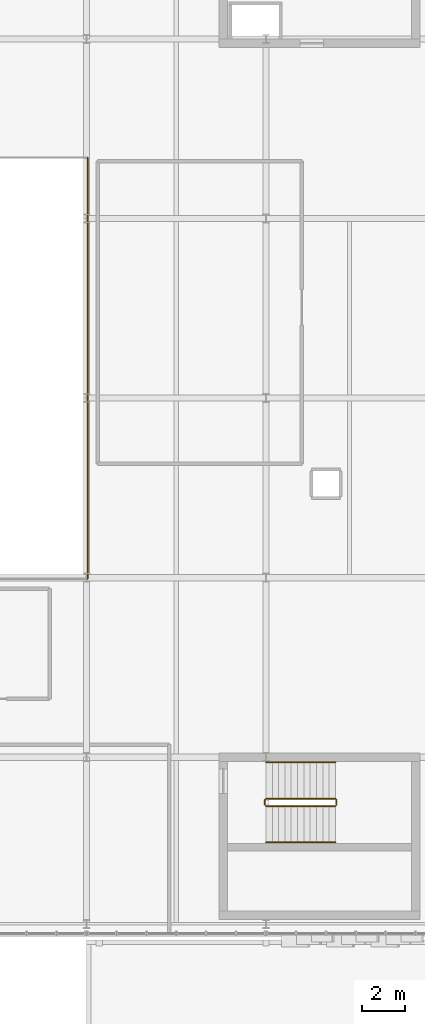
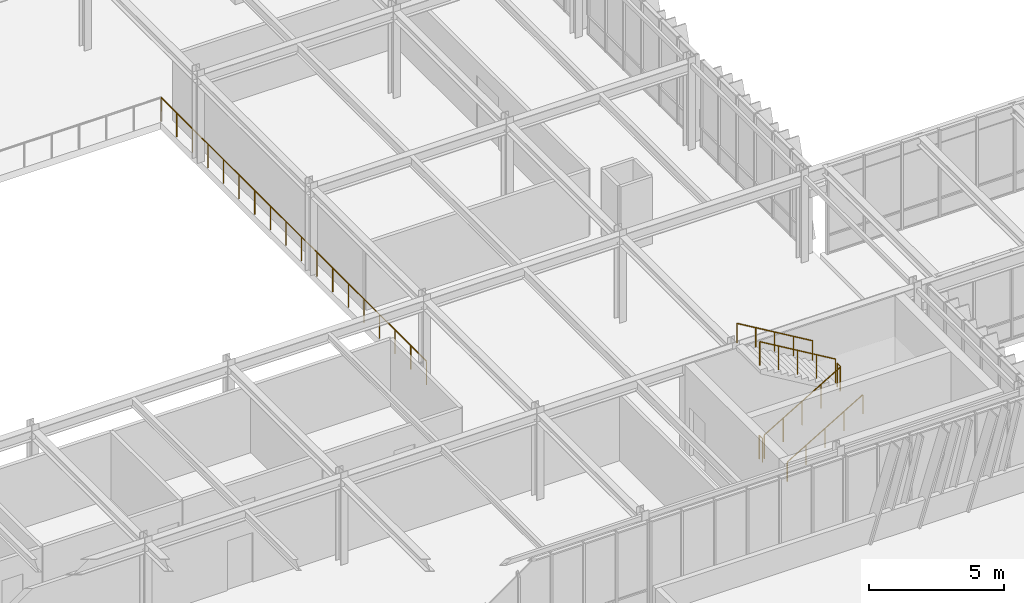
# One storey, part 124 of 127: 7 railings.
"""IFC4 building model written with IfcOpenShell, lengths in metres."""

from ifc_helpers import new_model, si_unit, direction, frame, origin, origin_2d, place, context, subcontext, project, spatial, circle, extrude, material, type_object, element, save


model = new_model("IFC4")

# Units and contexts
model_context = context("Model", 3, precision=1e-05, world=origin(), true_north=direction((0.0, 1.0)))
body_context = subcontext(model_context, "Body", "Model", "MODEL_VIEW")
ifc_project = project(units=[si_unit("LENGTHUNIT", "METRE"), si_unit("AREAUNIT", "SQUARE_METRE"), si_unit("VOLUMEUNIT", "CUBIC_METRE"), si_unit("PLANEANGLEUNIT", "RADIAN"), si_unit("MASSUNIT", "GRAM", prefix="KILO")], contexts=[model_context])

# Site, building, storey
site_placement = place(None, origin())
site = spatial("IfcSite", under=ifc_project, at=site_placement, CompositionType="ELEMENT")
building_placement = place(site_placement, origin())
building = spatial("IfcBuilding", under=site, at=building_placement, Name="Zayran Congress Hotel", CompositionType="ELEMENT")
storey_placement = place(building_placement, frame((0.0, 0.0, 10.800048828125)))
storey = spatial("IfcBuildingStorey", under=building, at=storey_placement, Name="L02", CompositionType="ELEMENT", Elevation=10.800048828125)

# Railings
ifc_material_1 = material(Name="Painted steel balustrade", Category="steel")
railing_type_1 = type_object("IfcRailingType", Name="TP-GRD-INT", PredefinedType="GUARDRAIL", material=ifc_material_1)
railing_1_placement = place(storey_placement, frame((84.0, 73.7099609375, 0.175048828125)))
element("IfcRailing", 1, at=railing_1_placement, inside=storey, type_object=railing_type_1, Name="L02 ST-06 stair guard 1", PredefinedType="GUARDRAIL", context=body_context, shape_type="SweptSolid", body=[
    extrude(circle(Radius=0.02392578125, at=origin_2d()), frame((0.0, 0.0, 1.076171875), z_axis=(0.860085452069, 0.0, 0.510149992786), x_axis=(0.0, 1.0, 0.0)), (0.0, 0.0, 1.0), 3.77294921875),
    extrude(circle(Radius=0.02099609375, at=origin_2d()), origin(), (0.0, 0.0, 1.0), 1.052001953125),
    extrude(circle(Radius=0.02099609375, at=origin_2d()), frame((0.811279296875, 0.0, 0.481201171875)), (0.0, 0.0, 1.0), 1.052001953125),
    extrude(circle(Radius=0.02099609375, at=origin_2d()), frame((1.62255859375, 0.0, 0.96240234375)), (0.0, 0.0, 1.0), 1.052001953125),
    extrude(circle(Radius=0.02099609375, at=origin_2d()), frame((2.433837890625, 0.0, 1.443603515625)), (0.0, 0.0, 1.0), 1.052001953125),
    extrude(circle(Radius=0.02099609375, at=origin_2d()), frame((3.2451171875, 0.0, 1.9248046875)), (0.0, 0.0, 1.0), 1.052001953125),
])
railing_2_placement = place(storey_placement, frame((87.294921875, 73.760009765625, 2.099853515625)))
element("IfcRailing", 2, at=railing_2_placement, inside=storey, type_object=railing_type_1, Name="L02 ST-06 stair guard 2", PredefinedType="GUARDRAIL", context=body_context, shape_type="SweptSolid", body=[
    extrude(circle(Radius=0.02392578125, at=origin_2d()), frame((0.0, 0.0, 1.076171875), z_axis=(0.0, 1.0, 0.0), x_axis=(-1.0, 0.0, 0.0)), (0.0, 0.0, 1.0), 0.239990234375),
    extrude(circle(Radius=0.02099609375, at=origin_2d()), origin(), (0.0, 0.0, 1.0), 1.052001953125),
    extrude(circle(Radius=0.02099609375, at=origin_2d()), frame((0.0, 0.239990234375, 0.0)), (0.0, 0.0, 1.0), 1.052001953125),
])
railing_3_placement = place(storey_placement, frame((87.2451171875, 74.050048828125, 2.27490234375)))
element("IfcRailing", 3, at=railing_3_placement, inside=storey, type_object=railing_type_1, Name="L02 ST-06 stair guard 3", PredefinedType="GUARDRAIL", context=body_context, shape_type="SweptSolid", body=[
    extrude(circle(Radius=0.02392578125, at=origin_2d()), frame((0.0, 0.0, 1.076171875), z_axis=(-0.860057060016, 0.0, 0.510197857224), x_axis=(0.0, -1.0, 0.0)), (0.0, 0.0, 1.0), 3.773193359375),
    extrude(circle(Radius=0.02099609375, at=origin_2d()), origin(), (0.0, 0.0, 1.0), 1.052001953125),
    extrude(circle(Radius=0.02099609375, at=origin_2d()), frame((-0.811279296875, 0.0, 0.481201171875)), (0.0, 0.0, 1.0), 1.052001953125),
    extrude(circle(Radius=0.02099609375, at=origin_2d()), frame((-1.62255859375, 0.0, 0.96240234375)), (0.0, 0.0, 1.0), 1.052001953125),
    extrude(circle(Radius=0.02099609375, at=origin_2d()), frame((-2.433837890625, 0.0, 1.44384765625)), (0.0, 0.0, 1.0), 1.052001953125),
    extrude(circle(Radius=0.02099609375, at=origin_2d()), frame((-3.2451171875, 0.0, 1.925048828125)), (0.0, 0.0, 1.0), 1.052001953125),
])
railing_4_placement = place(storey_placement, frame((83.949951171875, 73.760009765625, 0.0)))
element("IfcRailing", 4, at=railing_4_placement, inside=storey, type_object=railing_type_1, Name="L02 ST-06 stair guard 4", PredefinedType="GUARDRAIL", context=body_context, shape_type="SweptSolid", body=[
    extrude(circle(Radius=0.02392578125, at=origin_2d()), frame((0.0, 0.0, 1.076171875), z_axis=(0.0, 1.0, 0.0), x_axis=(-1.0, 0.0, 0.0)), (0.0, 0.0, 1.0), 0.239990234375),
    extrude(circle(Radius=0.02099609375, at=origin_2d()), origin(), (0.0, 0.0, 1.0), 1.052001953125),
    extrude(circle(Radius=0.02099609375, at=origin_2d()), frame((0.0, 0.239990234375, 0.0)), (0.0, 0.0, 1.0), 1.052001953125),
])
railing_5_placement = place(storey_placement, frame((75.64990234375, 84.35009765625, 0.0)))
element("IfcRailing", 5, at=railing_5_placement, inside=storey, type_object=railing_type_1, Name="V1 L02 Interior Void Guardrail V1-L02-AUD-E", PredefinedType="GUARDRAIL", context=body_context, shape_type="SweptSolid", body=[
    extrude(circle(Radius=0.02392578125, at=origin_2d()), frame((0.0, 0.0, 1.076171875), z_axis=(0.0, 1.0, 0.0), x_axis=(-1.0, 0.0, 0.0)), (0.0, 0.0, 1.0), 19.699951171875),
    extrude(circle(Radius=0.02099609375, at=origin_2d()), origin(), (0.0, 0.0, 1.0), 1.052001953125),
    extrude(circle(Radius=0.02099609375, at=origin_2d()), frame((0.0, 1.158935546875, 0.0)), (0.0, 0.0, 1.0), 1.052001953125),
    extrude(circle(Radius=0.02099609375, at=origin_2d()), frame((0.0, 2.317626953125, 0.0)), (0.0, 0.0, 1.0), 1.052001953125),
    extrude(circle(Radius=0.02099609375, at=origin_2d()), frame((0.0, 3.4765625, 0.0)), (0.0, 0.0, 1.0), 1.052001953125),
    extrude(circle(Radius=0.02099609375, at=origin_2d()), frame((0.0, 4.63525390625, 0.0)), (0.0, 0.0, 1.0), 1.052001953125),
    extrude(circle(Radius=0.02099609375, at=origin_2d()), frame((0.0, 5.794189453125, 0.0)), (0.0, 0.0, 1.0), 1.052001953125),
    extrude(circle(Radius=0.02099609375, at=origin_2d()), frame((0.0, 6.952880859375, 0.0)), (0.0, 0.0, 1.0), 1.052001953125),
    extrude(circle(Radius=0.02099609375, at=origin_2d()), frame((0.0, 8.11181640625, 0.0)), (0.0, 0.0, 1.0), 1.052001953125),
    extrude(circle(Radius=0.02099609375, at=origin_2d()), frame((0.0, 9.2705078125, 0.0)), (0.0, 0.0, 1.0), 1.052001953125),
    extrude(circle(Radius=0.02099609375, at=origin_2d()), frame((0.0, 10.429443359375, 0.0)), (0.0, 0.0, 1.0), 1.052001953125),
    extrude(circle(Radius=0.02099609375, at=origin_2d()), frame((0.0, 11.588134765625, 0.0)), (0.0, 0.0, 1.0), 1.052001953125),
    extrude(circle(Radius=0.02099609375, at=origin_2d()), frame((0.0, 12.7470703125, 0.0)), (0.0, 0.0, 1.0), 1.052001953125),
    extrude(circle(Radius=0.02099609375, at=origin_2d()), frame((0.0, 13.90576171875, 0.0)), (0.0, 0.0, 1.0), 1.052001953125),
    extrude(circle(Radius=0.02099609375, at=origin_2d()), frame((0.0, 15.064697265625, 0.0)), (0.0, 0.0, 1.0), 1.052001953125),
    extrude(circle(Radius=0.02099609375, at=origin_2d()), frame((0.0, 16.223388671875, 0.0)), (0.0, 0.0, 1.0), 1.052001953125),
    extrude(circle(Radius=0.02099609375, at=origin_2d()), frame((0.0, 17.38232421875, 0.0)), (0.0, 0.0, 1.0), 1.052001953125),
    extrude(circle(Radius=0.02099609375, at=origin_2d()), frame((0.0, 18.541015625, 0.0)), (0.0, 0.0, 1.0), 1.052001953125),
    extrude(circle(Radius=0.02099609375, at=origin_2d()), frame((0.0, 19.699951171875, 0.0)), (0.0, 0.0, 1.0), 1.052001953125),
])
ifc_material_2 = material(Name="Brushed stainless steel handrail", Category="steel")
railing_type_2 = type_object("IfcRailingType", Name="TP-HND-STR", PredefinedType="HANDRAIL", material=ifc_material_2)
railing_6_placement = place(storey_placement, frame((84.0, 72.010009765625, 0.175048828125)))
element("IfcRailing", 6, at=railing_6_placement, inside=storey, type_object=railing_type_2, Name="L02 ST-06 stair handrail 1", PredefinedType="HANDRAIL", context=body_context, shape_type="SweptSolid", body=[
    extrude(circle(Radius=0.02392578125, at=origin_2d()), frame((0.0, 0.0, 0.8759765625), z_axis=(0.860085452069, 0.0, 0.510149992786), x_axis=(0.0, 1.0, 0.0)), (0.0, 0.0, 1.0), 3.77294921875),
    extrude(circle(Radius=0.02099609375, at=origin_2d()), origin(), (0.0, 0.0, 1.0), 0.851806640625),
    extrude(circle(Radius=0.02099609375, at=origin_2d()), frame((0.811279296875, 0.0, 0.481201171875)), (0.0, 0.0, 1.0), 0.851806640625),
    extrude(circle(Radius=0.02099609375, at=origin_2d()), frame((1.62255859375, 0.0, 0.96240234375)), (0.0, 0.0, 1.0), 0.851806640625),
    extrude(circle(Radius=0.02099609375, at=origin_2d()), frame((2.433837890625, 0.0, 1.443603515625)), (0.0, 0.0, 1.0), 0.851806640625),
    extrude(circle(Radius=0.02099609375, at=origin_2d()), frame((3.2451171875, 0.0, 1.9248046875)), (0.0, 0.0, 1.0), 0.851806640625),
])
railing_7_placement = place(storey_placement, frame((87.2451171875, 75.75, 2.27490234375)))
element("IfcRailing", 7, at=railing_7_placement, inside=storey, type_object=railing_type_2, Name="L02 ST-06 stair handrail 2", PredefinedType="HANDRAIL", context=body_context, shape_type="SweptSolid", body=[
    extrude(circle(Radius=0.02392578125, at=origin_2d()), frame((0.0, 0.0, 0.8759765625), z_axis=(-0.860057060016, 0.0, 0.510197857224), x_axis=(0.0, -1.0, 0.0)), (0.0, 0.0, 1.0), 3.773193359375),
    extrude(circle(Radius=0.02099609375, at=origin_2d()), origin(), (0.0, 0.0, 1.0), 0.851806640625),
    extrude(circle(Radius=0.02099609375, at=origin_2d()), frame((-0.811279296875, 0.0, 0.481201171875)), (0.0, 0.0, 1.0), 0.851806640625),
    extrude(circle(Radius=0.02099609375, at=origin_2d()), frame((-1.62255859375, 0.0, 0.96240234375)), (0.0, 0.0, 1.0), 0.851806640625),
    extrude(circle(Radius=0.02099609375, at=origin_2d()), frame((-2.433837890625, 0.0, 1.44384765625)), (0.0, 0.0, 1.0), 0.851806640625),
    extrude(circle(Radius=0.02099609375, at=origin_2d()), frame((-3.2451171875, 0.0, 1.925048828125)), (0.0, 0.0, 1.0), 0.851806640625),
])

save(model, "model.ifc")
